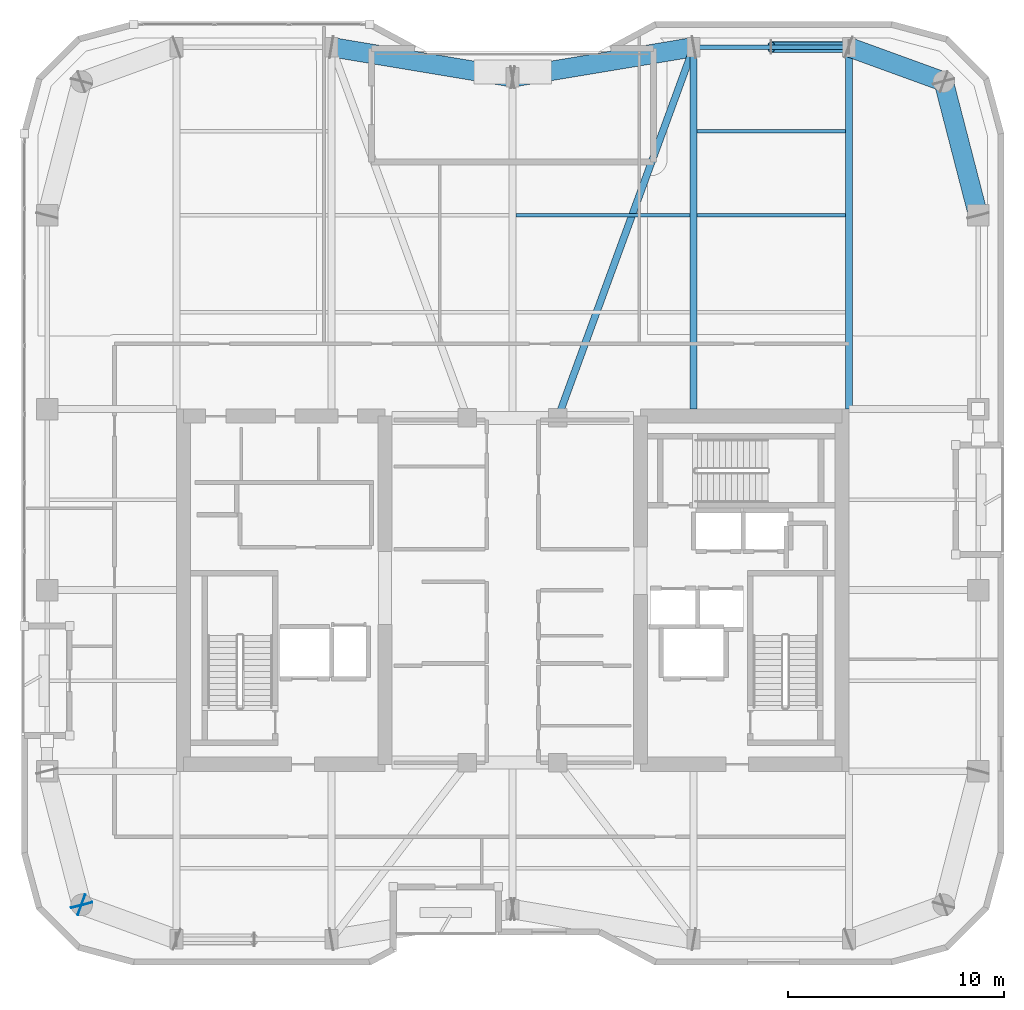
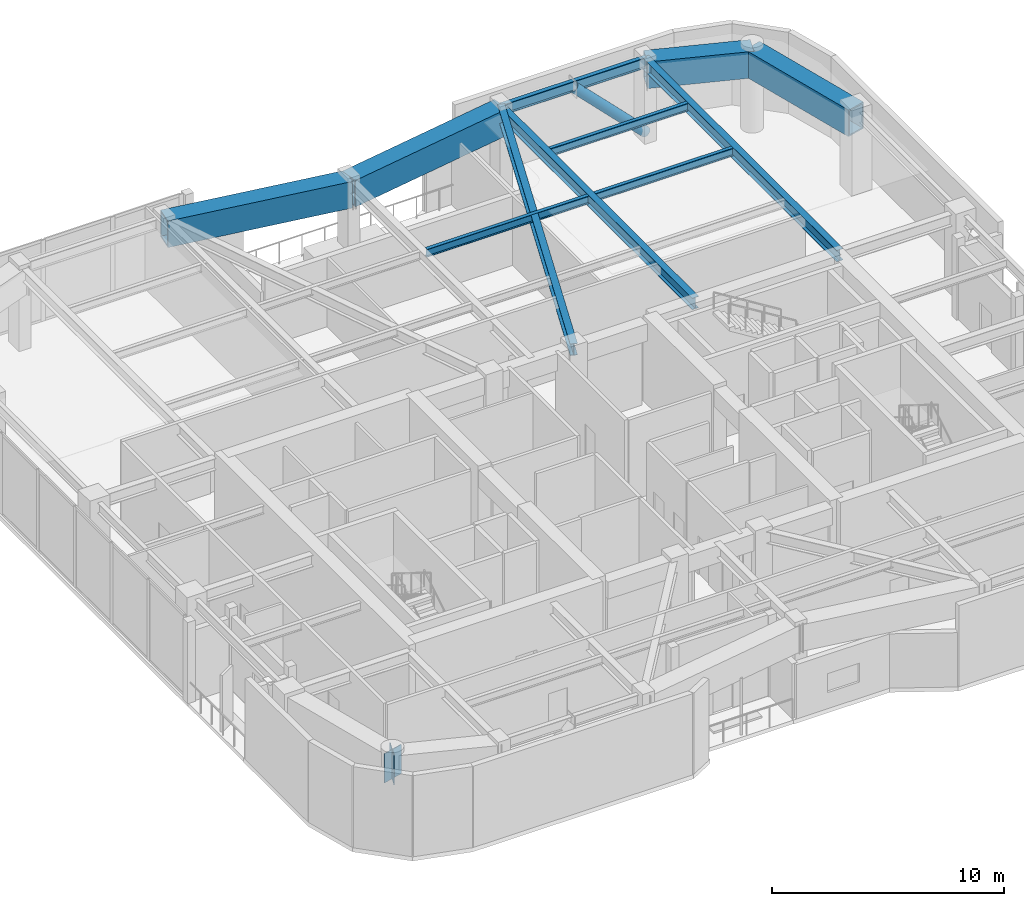
# One storey, part 9 of 19: 11 beams, 2 plates, 1 member.
"""IFC4 building model written with IfcOpenShell, lengths in metres."""

from ifc_helpers import new_model, si_unit, direction, frame, origin, origin_2d, place, context, subcontext, project, spatial, rectangle, hollow_rectangle, hollow_circle, i_section, extrude, material, layer, layer_set, material_profile, profile_set, type_object, element, save


model = new_model("IFC4")

# Units and contexts
model_context = context("Model", 3, precision=1e-05, world=origin(), true_north=direction((0.0, 1.0)))
body_context = subcontext(model_context, "Body", "Model", "MODEL_VIEW")
ifc_project = project(units=[si_unit("LENGTHUNIT", "METRE"), si_unit("AREAUNIT", "SQUARE_METRE"), si_unit("VOLUMEUNIT", "CUBIC_METRE"), si_unit("PLANEANGLEUNIT", "RADIAN"), si_unit("MASSUNIT", "GRAM", prefix="KILO")], contexts=[model_context])

# Site, building, storey
site_placement = place(None, origin())
site = spatial("IfcSite", under=ifc_project, at=site_placement, CompositionType="ELEMENT")
building_placement = place(site_placement, origin())
building = spatial("IfcBuilding", under=site, at=building_placement, Name="Kiyonajd Concourse Tower", CompositionType="ELEMENT")
storey_placement = place(building_placement, frame((0.0, 0.0, 238.800048828125)))
storey = spatial("IfcBuildingStorey", under=building, at=storey_placement, Name="L60", CompositionType="ELEMENT", Elevation=238.800048828125)

# Beams
ifc_material_1 = material(Name="Steel ASTM A992 Grade 50", Category="steel")
ifc_material_profile_1 = material_profile(ifc_material_1, i_section(OverallWidth=0.180908203125, OverallDepth=0.4169921875, WebThickness=0.010986328125, FlangeThickness=0.018310546875, at=origin_2d()), Name="W410X85")
ifc_profile_set_1 = profile_set([ifc_material_profile_1], Name="Steel ASTM A992 Grade 50")
beam_type_1 = type_object("IfcBeamType", Name="BM-JST-410", PredefinedType="JOIST", material=ifc_profile_set_1)
beam_1_placement = place(storey_placement, frame((48.162109375, 53.39990234375, 4.071533203125), z_axis=(1.0, 0.0, 0.0), x_axis=(0.0, 1.0, 0.0)))
element("IfcBeam", 1, at=beam_1_placement, inside=storey, type_object=beam_type_1, Name="L60 Secondary Floor Joist", PredefinedType="JOIST", context=body_context, shape_type="SweptSolid", body=[
    extrude(i_section(OverallWidth=0.180908203125, OverallDepth=0.4169921875, WebThickness=0.010986328125, FlangeThickness=0.018310546875, at=origin_2d()), origin(), (0.0, 0.0, 1.0), 8.075927734375),
])
for number, where, z_axis, x_axis, name in (
    (2, (56.56201171875, 53.39990234375, 4.071533203125), (1.0, 0.0, 0.0), (0.0, 1.0, 0.0), "L60 Secondary Floor Joist"),
    (3, (56.56201171875, 57.300048828125, 4.071533203125), (1.0, 0.0, 0.0), (0.0, 1.0, 0.0), "L60 Secondary Floor Joist"),
):
    element("IfcBeam", number, at=place(storey_placement, frame(where, z_axis=z_axis, x_axis=x_axis)), inside=storey, type_object=beam_type_1, Name=name, PredefinedType="JOIST", context=body_context, shape_type="SweptSolid", body=[
        extrude(i_section(OverallWidth=0.180908203125, OverallDepth=0.4169921875, WebThickness=0.010986328125, FlangeThickness=0.018310546875, at=origin_2d()), origin(), (0.0, 0.0, 1.0), 6.8759765625),
    ])
ifc_material_profile_2 = material_profile(ifc_material_1, i_section(OverallWidth=0.214111328125, OverallDepth=0.549072265625, WebThickness=0.0146484375, FlangeThickness=0.023681640625, at=origin_2d()), Name="W530X138")
ifc_profile_set_2 = profile_set([ifc_material_profile_2], Name="Steel ASTM A992 Grade 50")
beam_type_2 = type_object("IfcBeamType", Name="BM-SPAN-530A", PredefinedType="SPANDREL", material=ifc_profile_set_2)
beam_2_placement = place(storey_placement, frame((63.60009765625, 61.199951171875, 4.00537109375), z_axis=(-1.0, 0.0, 0.0), x_axis=(0.0, -1.0, 0.0)))
element("IfcBeam", 4, at=beam_2_placement, inside=storey, type_object=beam_type_2, Name="L60 Perimeter Bundled Tube Spandrel", PredefinedType="SPANDREL", context=body_context, shape_type="SweptSolid", body=[
    extrude(i_section(OverallWidth=0.214111328125, OverallDepth=0.549072265625, WebThickness=0.0146484375, FlangeThickness=0.023681640625, at=origin_2d()), origin(), (0.0, 0.0, 1.0), 7.2001953125),
])
ifc_material_profile_3 = material_profile(ifc_material_1, i_section(OverallWidth=0.326904296875, OverallDepth=0.6220703125, WebThickness=0.015380859375, FlangeThickness=0.0244140625, at=origin_2d()), Name="W610X195")
ifc_profile_set_3 = profile_set([ifc_material_profile_3], Name="Steel ASTM A992 Grade 50")
beam_type_3 = type_object("IfcBeamType", Name="BM-TWR-610A", PredefinedType="BEAM", material=ifc_profile_set_3)
beam_3_placement = place(storey_placement, frame((50.10009765625, 44.0, 3.968994140625), z_axis=(0.343925269715, 0.938997022813, 0.0), x_axis=(-0.938997022813, 0.343925269715, 0.0)))
element("IfcBeam", 5, at=beam_3_placement, inside=storey, type_object=beam_type_3, Name="L60 Core Tie Girder", PredefinedType="BEAM", context=body_context, shape_type="SweptSolid", body=[
    extrude(i_section(OverallWidth=0.326904296875, OverallDepth=0.6220703125, WebThickness=0.015380859375, FlangeThickness=0.0244140625, at=origin_2d()), origin(), (0.0, 0.0, 1.0), 18.3173828125),
])
ifc_material_profile_4 = material_profile(ifc_material_1, i_section(OverallWidth=0.323974609375, OverallDepth=0.611083984375, WebThickness=0.0126953125, FlangeThickness=0.01904296875, at=origin_2d()), Name="W610X155")
ifc_profile_set_4 = profile_set([ifc_material_profile_4], Name="Steel ASTM A992 Grade 50")
beam_type_4 = type_object("IfcBeamType", Name="BM-TWR-610B", PredefinedType="BEAM", material=ifc_profile_set_4)
for number, where, z_axis, x_axis, name in (
    (6, (56.39990234375, 44.39990234375, 3.974365234375), (0.0, 1.0, 0.0), (-1.0, 0.0, 0.0), "L60 North Lease Girder"),
    (7, (63.60009765625, 44.39990234375, 3.974365234375), (0.0, 1.0, 0.0), (-1.0, 0.0, 0.0), "L60 North Lease Girder"),
):
    element("IfcBeam", number, at=place(storey_placement, frame(where, z_axis=z_axis, x_axis=x_axis)), inside=storey, type_object=beam_type_4, Name=name, PredefinedType="BEAM", context=body_context, shape_type="SweptSolid", body=[
        extrude(i_section(OverallWidth=0.323974609375, OverallDepth=0.611083984375, WebThickness=0.0126953125, FlangeThickness=0.01904296875, at=origin_2d()), origin(), (0.0, 0.0, 1.0), 16.800048828125),
    ])
ifc_material_2 = material(Name="Steel ASTM A572 Grade 50", Category="steel")
ifc_material_profile_5 = material_profile(ifc_material_2, hollow_rectangle(XDim=0.89990234375, YDim=1.39990234375, WallThickness=0.070068359375, at=origin_2d()), Name="BOX-1400x900x70")
ifc_profile_set_5 = profile_set([ifc_material_profile_5], Name="Steel ASTM A572 Grade 50")
beam_type_5 = type_object("IfcBeamType", Name="BM-XFER-1400", PredefinedType="BEAM", material=ifc_profile_set_5)
beam_4_placement = place(storey_placement, frame((69.60009765625, 53.39990234375, 3.579833984375), z_axis=(-0.249884937687, 0.968275538221, 0.0), x_axis=(-0.968275538221, -0.249884937687, 0.0)))
element("IfcBeam", 8, at=beam_4_placement, inside=storey, type_object=beam_type_5, Name="L60 Perimeter Bundled Tube Spandrel", PredefinedType="BEAM", context=body_context, shape_type="SweptSolid", body=[
    extrude(hollow_rectangle(XDim=0.89990234375, YDim=1.39990234375, WallThickness=0.070068359375, at=origin_2d()), origin(), (0.0, 0.0, 1.0), 6.4033203125),
])
beam_5_placement = place(storey_placement, frame((68.0, 59.60009765625, 3.579833984375), z_axis=(-0.939801036019, 0.341722127901, 0.0), x_axis=(-0.341722127901, -0.939801036019, 0.0)))
element("IfcBeam", 9, at=beam_5_placement, inside=storey, type_object=beam_type_5, Name="L60 Perimeter Bundled Tube Spandrel", PredefinedType="BEAM", context=body_context, shape_type="SweptSolid", body=[
    extrude(hollow_rectangle(XDim=0.89990234375, YDim=1.39990234375, WallThickness=0.070068359375, at=origin_2d()), origin(), (0.0, 0.0, 1.0), 4.681640625),
])
for number, where, z_axis, x_axis, name in (
    (10, (56.39990234375, 61.199951171875, 3.579833984375), (-0.986395473479, -0.164389689151, 0.0), (0.164389689151, -0.986395473479, 0.0), "L60 Perimeter Bundled Tube Spandrel"),
    (11, (48.0, 59.800048828125, 3.579833984375), (-0.986395473479, 0.164389689151, 0.0), (-0.164389689151, -0.986395473479, 0.0), "L60 Perimeter Bundled Tube Spandrel"),
):
    element("IfcBeam", number, at=place(storey_placement, frame(where, z_axis=z_axis, x_axis=x_axis)), inside=storey, type_object=beam_type_5, Name=name, PredefinedType="BEAM", context=body_context, shape_type="SweptSolid", body=[
        extrude(hollow_rectangle(XDim=0.89990234375, YDim=1.39990234375, WallThickness=0.070068359375, at=origin_2d()), origin(), (0.0, 0.0, 1.0), 8.515869140625),
    ])

# Member
ifc_material_3 = material(Name="Steel ASTM A500 Grade C", Category="steel")
ifc_material_profile_6 = material_profile(ifc_material_3, hollow_circle(Radius=0.25390625, WallThickness=0.02197265625, at=origin_2d()), Name="CHS-508x22")
ifc_profile_set_6 = profile_set([ifc_material_profile_6], Name="Steel ASTM A500 Grade C")
member_type = type_object("IfcMemberType", Name="MB-PB-MID", PredefinedType="BRACE", material=ifc_profile_set_6)
member_placement = place(storey_placement, frame((63.60009765625, 61.199951171875, 0.300048828125), z_axis=(-0.704187756773, 0.0, 0.710013804944), x_axis=(0.0, -1.0, 0.0)))
element("IfcMember", 12, at=member_placement, inside=storey, type_object=member_type, Name="L60 Upper Zone Hollow Tube Brace PBN", PredefinedType="BRACE", context=body_context, shape_type="SweptSolid", body=[
    extrude(hollow_circle(Radius=0.25390625, WallThickness=0.02197265625, at=origin_2d()), origin(), (0.0, 0.0, 1.0), 5.1123046875),
])

# Plates
ifc_layer = layer(ifc_material_2, 0.031982421875)
ifc_layer_set = layer_set([ifc_layer], Name="Steel ASTM A572 Grade 50")
plate_type = type_object("IfcPlateType", Name="PL-CAP-540", PredefinedType="USERDEFINED", material=ifc_layer_set)
for number, where, z_axis, x_axis, name in (
    (13, (28.002685546875, 21.389404296875, 2.809814453125), (0.0, 0.0, 1.0), (0.249873048837, -0.968278606324, 0.0), "L60 Welded Box Girder End Cap"),
    (14, (27.98974609375, 21.40380859375, 2.809814453125), (0.0, 0.0, 1.0), (-0.939811951086, 0.341692107891, 0.0), "L60 Welded Box Girder End Cap"),
):
    element("IfcPlate", number, at=place(storey_placement, frame(where, z_axis=z_axis, x_axis=x_axis)), inside=storey, type_object=plate_type, Name=name, ObjectType="CAP PLATE", PredefinedType="USERDEFINED", context=body_context, shape_type="SweptSolid", body=[
        extrude(rectangle(XDim=0.035888671875, YDim=1.02001953125, at=origin_2d()), origin(), (0.0, 0.0, 1.0), 1.5400390625),
    ])

save(model, "model.ifc")
